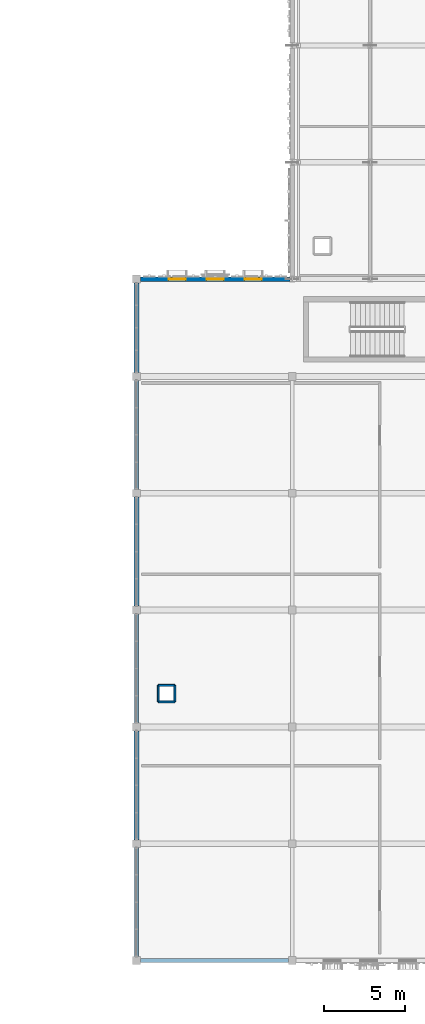
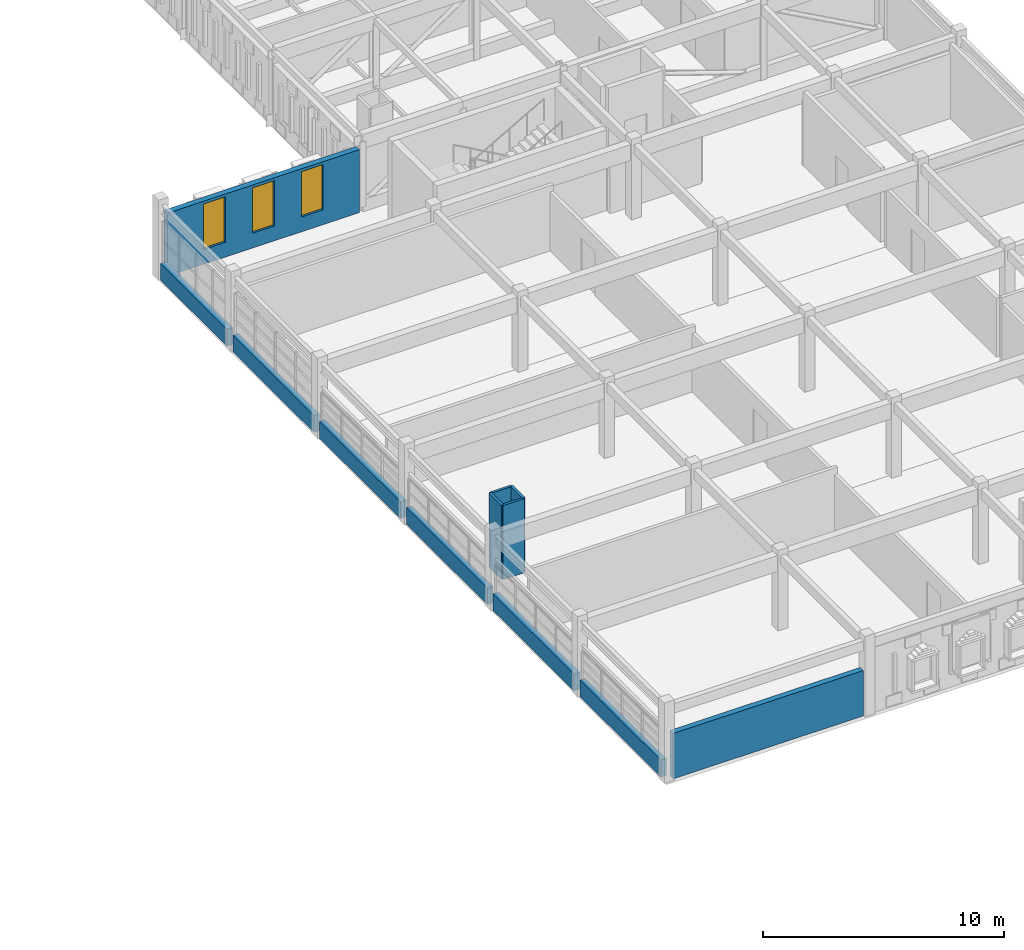
# One storey, part 48 of 79: 12 walls, 3 windows, 3 openings.
"""IFC4 building model written with IfcOpenShell, lengths in metres."""

from ifc_helpers import new_model, si_unit, direction, frame, frame_2d, origin, place, context, subcontext, project, spatial, rectangle, extrude, material, layer, layer_set, type_object, element, fill, save


model = new_model("IFC4")

# Units and contexts
model_context = context("Model", 3, precision=1e-05, world=origin(), true_north=direction((0.0, 1.0)))
body_context = subcontext(model_context, "Body", "Model", "MODEL_VIEW")
ifc_project = project(units=[si_unit("LENGTHUNIT", "METRE"), si_unit("AREAUNIT", "SQUARE_METRE"), si_unit("VOLUMEUNIT", "CUBIC_METRE"), si_unit("PLANEANGLEUNIT", "RADIAN"), si_unit("MASSUNIT", "GRAM", prefix="KILO")], contexts=[model_context])

# Site, building, storey
site_placement = place(None, origin())
site = spatial("IfcSite", under=ifc_project, at=site_placement, CompositionType="ELEMENT")
building_placement = place(site_placement, origin())
building = spatial("IfcBuilding", under=site, at=building_placement, Name="Nzembalo Square Collegiate School", CompositionType="ELEMENT")
storey_placement = place(building_placement, frame((0.0, 0.0, 9.52001953125)))
storey = spatial("IfcBuildingStorey", under=building, at=storey_placement, Name="L02", CompositionType="ELEMENT", Elevation=9.52001953125)

# Walls
ifc_material_1 = material(Name="Concrete C30/37", Category="concrete")
ifc_layer_1 = layer(ifc_material_1, 0.284912109375, Name="Concrete C30/37")
ifc_layer_set_1 = layer_set([ifc_layer_1], Name="Concrete C30/37")
wall_type_1 = type_object("IfcWallType", Name="W05", PredefinedType="SOLIDWALL", material=ifc_layer_set_1)
for number, where, z_axis, x_axis, name in (
    (1, (130.800048828125, 15.842041015625, 0.0), (0.0, 0.0, 1.0), (0.0, 1.0, 0.0), "Spandrel wall W05 L02"),
    (2, (130.800048828125, 30.241943359375, 0.0), (0.0, 0.0, 1.0), (0.0, 1.0, 0.0), "Spandrel wall W05 L02"),
):
    element("IfcWall", number, at=place(storey_placement, frame(where, z_axis=z_axis, x_axis=x_axis)), inside=storey, type_object=wall_type_1, Name=name, PredefinedType="SOLIDWALL", context=body_context, shape_type="SweptSolid", body=[
        extrude(rectangle(XDim=6.716064453125, YDim=0.284912109375, at=frame_2d((3.35791015625, 0.0))), origin(), (0.0, 0.0, 1.0), 0.85009765625),
    ])
wall_1_placement = place(storey_placement, frame((130.800048828125, 44.64208984375, 0.0), z_axis=(0.0, 0.0, 1.0), x_axis=(0.0, 1.0, 0.0)))
element("IfcWall", 3, at=wall_1_placement, inside=storey, type_object=wall_type_1, Name="Spandrel wall W05 L02", PredefinedType="SOLIDWALL", context=body_context, shape_type="SweptSolid", body=[
    extrude(rectangle(XDim=5.515869140625, YDim=0.284912109375, at=frame_2d((2.7578125, 0.0))), origin(), (0.0, 0.0, 1.0), 0.85009765625),
])
ifc_material_2 = material(Name="Concrete C30/37", Category="concrete")
ifc_layer_2 = layer(ifc_material_2, 0.264892578125, Name="Concrete C30/37")
ifc_layer_set_2 = layer_set([ifc_layer_2], Name="Concrete C30/37")
wall_type_2 = type_object("IfcWallType", Name="W06", PredefinedType="SOLIDWALL", material=ifc_layer_set_2)
wall_2_placement = place(storey_placement, frame((130.800048828125, 8.64208984375, 0.0), z_axis=(0.0, 0.0, 1.0), x_axis=(0.0, 1.0, 0.0)))
element("IfcWall", 4, at=wall_2_placement, inside=storey, type_object=wall_type_2, Name="Spandrel wall W06 L02", PredefinedType="SOLIDWALL", context=body_context, shape_type="SweptSolid", body=[
    extrude(rectangle(XDim=6.7158203125, YDim=0.264892578125, at=frame_2d((3.35791015625, 0.0))), origin(), (0.0, 0.0, 1.0), 0.85009765625),
])
for number, where, z_axis, x_axis, name in (
    (5, (130.800048828125, 23.0419921875, 0.0), (0.0, 0.0, 1.0), (0.0, 1.0, 0.0), "Spandrel wall W06 L02"),
    (6, (130.800048828125, 37.44189453125, 0.0), (0.0, 0.0, 1.0), (0.0, 1.0, 0.0), "Spandrel wall W06 L02"),
):
    element("IfcWall", number, at=place(storey_placement, frame(where, z_axis=z_axis, x_axis=x_axis)), inside=storey, type_object=wall_type_2, Name=name, PredefinedType="SOLIDWALL", context=body_context, shape_type="SweptSolid", body=[
        extrude(rectangle(XDim=6.716064453125, YDim=0.264892578125, at=frame_2d((3.35791015625, 0.0))), origin(), (0.0, 0.0, 1.0), 0.85009765625),
    ])

# Wall, openings, windows
wall_3_placement = place(storey_placement, frame((131.0419921875, 50.39990234375, 0.0), z_axis=(0.0, 0.0, 1.0), x_axis=(1.0, 0.0, 0.0)))
wall_3 = element("IfcWall", 7, at=wall_3_placement, inside=storey, type_object=wall_type_2, Name="Exterior wall W06 L02", PredefinedType="SOLIDWALL", context=body_context, shape_type="SweptSolid", body=[
    extrude(rectangle(XDim=9.2060546875, YDim=0.264892578125, at=frame_2d((4.60302734375, 0.0))), origin(), (0.0, 0.0, 1.0), 3.194091796875),
])
opening_1_placement = place(wall_3_placement, frame((1.73388671875, 0.0, 0.75)))
opening_1 = element("IfcOpeningElement", 8, at=opening_1_placement, cuts=wall_3, Name="Opening WN-L02-380", PredefinedType="OPENING", context=body_context, shape_type="SweptSolid", body=[
    extrude(rectangle(XDim=1.050048828125, YDim=2.300048828125, at=frame_2d((0.52490234375, 1.14990234375))), frame((0.0, 0.142578125, 0.0), z_axis=(0.0, -1.0, 0.0), x_axis=(1.0, 0.0, 0.0)), (0.0, 0.0, 1.0), 0.284912109375),
])
opening_2_placement = place(wall_3_placement, frame((4.077880859375, 0.0, 0.75)))
opening_2 = element("IfcOpeningElement", 9, at=opening_2_placement, cuts=wall_3, Name="Opening WN-L02-381", PredefinedType="OPENING", context=body_context, shape_type="SweptSolid", body=[
    extrude(rectangle(XDim=1.050048828125, YDim=2.300048828125, at=frame_2d((0.52490234375, 1.14990234375))), frame((0.0, 0.142578125, 0.0), z_axis=(0.0, -1.0, 0.0), x_axis=(1.0, 0.0, 0.0)), (0.0, 0.0, 1.0), 0.284912109375),
])
opening_3_placement = place(wall_3_placement, frame((6.422119140625, 0.0, 0.75)))
opening_3 = element("IfcOpeningElement", 10, at=opening_3_placement, cuts=wall_3, Name="Opening WN-L02-382", PredefinedType="OPENING", context=body_context, shape_type="SweptSolid", body=[
    extrude(rectangle(XDim=1.050048828125, YDim=2.300048828125, at=frame_2d((0.52490234375, 1.14990234375))), frame((0.0, 0.142578125, 0.0), z_axis=(0.0, -1.0, 0.0), x_axis=(1.0, 0.0, 0.0)), (0.0, 0.0, 1.0), 0.284912109375),
])
ifc_material_3 = material(Name="Powder-coated aluminium and low-E double glazing", Category="aluminium")
window_type = type_object("IfcWindowType", Name="WN11", PartitioningType="SINGLE_PANEL", PredefinedType="WINDOW", material=ifc_material_3)
window_1_placement = place(opening_1_placement, origin())
window_1 = element("IfcWindow", 11, at=window_1_placement, inside=storey, type_object=window_type, Name="Lancet window WN-L02-380", OverallHeight=2.300048828125, OverallWidth=1.050048828125, PartitioningType="SINGLE_PANEL", PredefinedType="WINDOW", context=body_context, shape_type="SweptSolid", body=[
    extrude(rectangle(XDim=1.050048828125, YDim=2.300048828125, at=frame_2d((0.52490234375, 1.14990234375))), frame((0.0, 0.030029296875, 0.0), z_axis=(0.0, -1.0, 0.0), x_axis=(1.0, 0.0, 0.0)), (0.0, 0.0, 1.0), 0.06005859375),
])
fill(opening_1, window_1)
window_2_placement = place(opening_2_placement, origin())
window_2 = element("IfcWindow", 12, at=window_2_placement, inside=storey, type_object=window_type, Name="Lancet window WN-L02-381", OverallHeight=2.300048828125, OverallWidth=1.050048828125, PartitioningType="SINGLE_PANEL", PredefinedType="WINDOW", context=body_context, shape_type="SweptSolid", body=[
    extrude(rectangle(XDim=1.050048828125, YDim=2.300048828125, at=frame_2d((0.52490234375, 1.14990234375))), frame((0.0, 0.030029296875, 0.0), z_axis=(0.0, -1.0, 0.0), x_axis=(1.0, 0.0, 0.0)), (0.0, 0.0, 1.0), 0.06005859375),
])
fill(opening_2, window_2)
window_3_placement = place(opening_3_placement, origin())
window_3 = element("IfcWindow", 13, at=window_3_placement, inside=storey, type_object=window_type, Name="Lancet window WN-L02-382", OverallHeight=2.300048828125, OverallWidth=1.050048828125, PartitioningType="SINGLE_PANEL", PredefinedType="WINDOW", context=body_context, shape_type="SweptSolid", body=[
    extrude(rectangle(XDim=1.050048828125, YDim=2.300048828125, at=frame_2d((0.52490234375, 1.14990234375))), frame((0.0, 0.030029296875, 0.0), z_axis=(0.0, -1.0, 0.0), x_axis=(1.0, 0.0, 0.0)), (0.0, 0.0, 1.0), 0.06005859375),
])
fill(opening_3, window_3)

# Walls
wall_4_placement = place(storey_placement, frame((131.0419921875, 8.39990234375, 0.0), z_axis=(0.0, 0.0, 1.0), x_axis=(1.0, 0.0, 0.0)))
element("IfcWall", 14, at=wall_4_placement, inside=storey, type_object=wall_type_2, Name="Exterior wall W06 L02", PredefinedType="SOLIDWALL", context=body_context, shape_type="SweptSolid", body=[
    extrude(rectangle(XDim=9.115966796875, YDim=0.264892578125, at=frame_2d((4.55810546875, 0.0))), origin(), (0.0, 0.0, 1.0), 2.303955078125),
])
ifc_material_4 = material(Name="Fire-rated shaftwall stud")
ifc_layer_3 = layer(ifc_material_4, 0.1201171875, Name="Fire-rated shaftwall stud")
ifc_layer_set_3 = layer_set([ifc_layer_3], Name="Fire-rated shaftwall stud")
wall_type_3 = type_object("IfcWallType", Name="W23", PredefinedType="PARTITIONING", material=ifc_layer_set_3)
for number, where, z_axis, x_axis, name in (
    (15, (132.139892578125, 24.340087890625, 0.0), (0.0, 0.0, 1.0), (1.0, 0.0, 0.0), "Service riser shaftwall W23-018-1"),
    (16, (133.159912109375, 24.340087890625, 0.0), (0.0, 0.0, 1.0), (0.0, 1.0, 0.0), "Service riser shaftwall W23-018-2"),
    (17, (133.159912109375, 25.360107421875, 0.0), (0.0, 0.0, 1.0), (-1.0, 0.0, 0.0), "Service riser shaftwall W23-018-3"),
    (18, (132.139892578125, 25.360107421875, 0.0), (0.0, 0.0, 1.0), (0.0, -1.0, 0.0), "Service riser shaftwall W23-018-4"),
):
    element("IfcWall", number, at=place(storey_placement, frame(where, z_axis=z_axis, x_axis=x_axis)), inside=storey, type_object=wall_type_3, Name=name, PredefinedType="PARTITIONING", context=body_context, shape_type="SweptSolid", body=[
        extrude(rectangle(XDim=1.02001953125, YDim=0.1201171875, at=frame_2d((0.510009765625, 0.0))), origin(), (0.0, 0.0, 1.0), 3.75390625),
    ])

save(model, "model.ifc")
